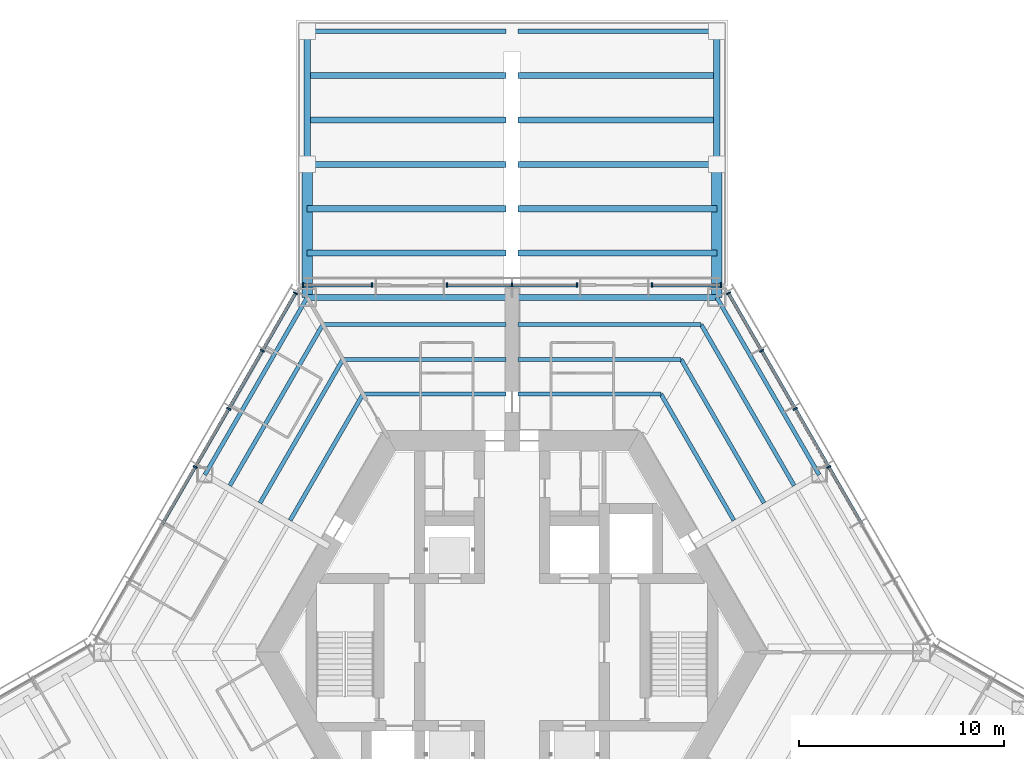
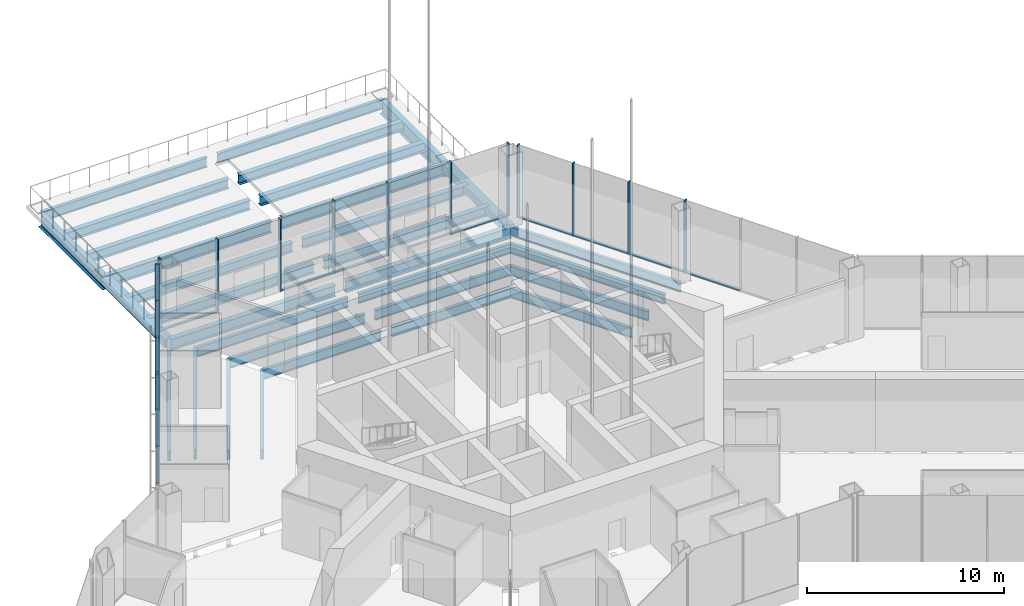
# One storey, part 6 of 18: 32 beams, 27 members, 5 elements without a shape of their own.
"""IFC4 building model written with IfcOpenShell, lengths in metres."""

from ifc_helpers import new_model, si_unit, direction, frame, origin, origin_2d, place, context, subcontext, project, spatial, rectangle, hollow_rectangle, i_section, extrude, material, material_profile, profile_set, type_object, element, aggregate, save


model = new_model("IFC4")

# Units and contexts
model_context = context("Model", 3, precision=1e-05, world=origin(), true_north=direction((0.0, 1.0)))
body_context = subcontext(model_context, "Body", "Model", "MODEL_VIEW")
ifc_project = project(units=[si_unit("LENGTHUNIT", "METRE"), si_unit("AREAUNIT", "SQUARE_METRE"), si_unit("VOLUMEUNIT", "CUBIC_METRE"), si_unit("PLANEANGLEUNIT", "RADIAN"), si_unit("MASSUNIT", "GRAM", prefix="KILO")], contexts=[model_context])

# Site, building, storey
site_placement = place(None, origin())
site = spatial("IfcSite", under=ifc_project, at=site_placement, CompositionType="ELEMENT")
building_placement = place(site_placement, origin())
building = spatial("IfcBuilding", under=site, at=building_placement, Name="Kasaneha Research Tower", CompositionType="ELEMENT")
storey_placement = place(building_placement, frame((0.0, 0.0, 128.60009765625)))
storey = spatial("IfcBuildingStorey", under=building, at=storey_placement, Name="L32", CompositionType="ELEMENT", Elevation=128.60009765625)

# Beams
ifc_material_1 = material(Name="Steel SN490B", Category="steel")
ifc_material_profile_1 = material_profile(ifc_material_1, i_section(OverallWidth=0.199951171875, OverallDepth=0.60009765625, WebThickness=0.010986328125, FlangeThickness=0.01708984375, FilletRadius=0.012939453125, at=origin_2d()), Name="H-600x200x11x17")
ifc_profile_set_1 = profile_set([ifc_material_profile_1], Name="Steel SN490B")
beam_type_1 = type_object("IfcBeamType", Name="B1-4 secondary beam H-600x200x11x17", PredefinedType="JOIST", material=ifc_profile_set_1)
beam_1_placement = place(storey_placement, frame((7.274658203125, 12.60009765625, -0.5), z_axis=(0.499990404686, -0.866030943571, 0.0), x_axis=(0.866030943571, 0.499990404686, 0.0)))
element("IfcBeam", 1, at=beam_1_placement, inside=storey, type_object=beam_type_1, Name="Secondary beam RS030R1 L32", PredefinedType="JOIST", context=body_context, shape_type="SweptSolid", body=[
    extrude(i_section(OverallWidth=0.199951171875, OverallDepth=0.60009765625, WebThickness=0.010986328125, FlangeThickness=0.01708984375, FilletRadius=0.012939453125, at=origin_2d()), origin(), (0.0, 0.0, 1.0), 7.124755859375),
])
beam_2_placement = place(storey_placement, frame((8.256103515625, 14.300048828125, -0.5), z_axis=(0.499984030215, -0.866034623748, 0.0), x_axis=(0.866034623748, 0.499984030215, 0.0)))
element("IfcBeam", 2, at=beam_2_placement, inside=storey, type_object=beam_type_1, Name="Secondary beam RS030R2 L32", PredefinedType="JOIST", context=body_context, shape_type="SweptSolid", body=[
    extrude(i_section(OverallWidth=0.199951171875, OverallDepth=0.60009765625, WebThickness=0.010986328125, FlangeThickness=0.01708984375, FilletRadius=0.012939453125, at=origin_2d()), origin(), (0.0, 0.0, 1.0), 8.106201171875),
])
beam_3_placement = place(storey_placement, frame((9.237548828125, 16.0, -0.5), z_axis=(0.500010814234, -0.866019160093, 0.0), x_axis=(0.866019160093, 0.500010814234, 0.0)))
element("IfcBeam", 3, at=beam_3_placement, inside=storey, type_object=beam_type_1, Name="Secondary beam RS030R3 L32", PredefinedType="JOIST", context=body_context, shape_type="SweptSolid", body=[
    extrude(i_section(OverallWidth=0.199951171875, OverallDepth=0.60009765625, WebThickness=0.010986328125, FlangeThickness=0.01708984375, FilletRadius=0.012939453125, at=origin_2d()), origin(), (0.0, 0.0, 1.0), 9.087646484375),
])
beam_4_placement = place(storey_placement, frame((7.274658203125, 12.60009765625, -0.5), z_axis=(-1.0, 0.0, 0.0), x_axis=(0.0, -1.0, 0.0)))
element("IfcBeam", 4, at=beam_4_placement, inside=storey, type_object=beam_type_1, Name="Secondary beam RS090L1 L32", PredefinedType="JOIST", context=body_context, shape_type="SweptSolid", body=[
    extrude(i_section(OverallWidth=0.199951171875, OverallDepth=0.60009765625, WebThickness=0.010986328125, FlangeThickness=0.01708984375, FilletRadius=0.012939453125, at=origin_2d()), origin(), (0.0, 0.0, 1.0), 6.974609375),
])
beam_5_placement = place(storey_placement, frame((8.256103515625, 14.300048828125, -0.5), z_axis=(-1.0, 0.0, 0.0), x_axis=(0.0, -1.0, 0.0)))
element("IfcBeam", 5, at=beam_5_placement, inside=storey, type_object=beam_type_1, Name="Secondary beam RS090L2 L32", PredefinedType="JOIST", context=body_context, shape_type="SweptSolid", body=[
    extrude(i_section(OverallWidth=0.199951171875, OverallDepth=0.60009765625, WebThickness=0.010986328125, FlangeThickness=0.01708984375, FilletRadius=0.012939453125, at=origin_2d()), origin(), (0.0, 0.0, 1.0), 7.9560546875),
])
beam_6_placement = place(storey_placement, frame((9.237548828125, 16.0, -0.5), z_axis=(-1.0, 0.0, 0.0), x_axis=(0.0, -1.0, 0.0)))
element("IfcBeam", 6, at=beam_6_placement, inside=storey, type_object=beam_type_1, Name="Secondary beam RS090L3 L32", PredefinedType="JOIST", context=body_context, shape_type="SweptSolid", body=[
    extrude(i_section(OverallWidth=0.199951171875, OverallDepth=0.60009765625, WebThickness=0.010986328125, FlangeThickness=0.01708984375, FilletRadius=0.012939453125, at=origin_2d()), origin(), (0.0, 0.0, 1.0), 8.9375),
])
beam_7_placement = place(storey_placement, frame((-7.274658203125, 12.60009765625, -0.5), z_axis=(1.0, 0.0, 0.0), x_axis=(0.0, 1.0, 0.0)))
element("IfcBeam", 7, at=beam_7_placement, inside=storey, type_object=beam_type_1, Name="Secondary beam RS090R1 L32", PredefinedType="JOIST", context=body_context, shape_type="SweptSolid", body=[
    extrude(i_section(OverallWidth=0.199951171875, OverallDepth=0.60009765625, WebThickness=0.010986328125, FlangeThickness=0.01708984375, FilletRadius=0.012939453125, at=origin_2d()), origin(), (0.0, 0.0, 1.0), 6.974609375),
])
beam_8_placement = place(storey_placement, frame((-8.256103515625, 14.300048828125, -0.5), z_axis=(1.0, 0.0, 0.0), x_axis=(0.0, 1.0, 0.0)))
element("IfcBeam", 8, at=beam_8_placement, inside=storey, type_object=beam_type_1, Name="Secondary beam RS090R2 L32", PredefinedType="JOIST", context=body_context, shape_type="SweptSolid", body=[
    extrude(i_section(OverallWidth=0.199951171875, OverallDepth=0.60009765625, WebThickness=0.010986328125, FlangeThickness=0.01708984375, FilletRadius=0.012939453125, at=origin_2d()), origin(), (0.0, 0.0, 1.0), 7.9560546875),
])
beam_9_placement = place(storey_placement, frame((-9.237548828125, 16.0, -0.5), z_axis=(1.0, 0.0, 0.0), x_axis=(0.0, 1.0, 0.0)))
element("IfcBeam", 9, at=beam_9_placement, inside=storey, type_object=beam_type_1, Name="Secondary beam RS090R3 L32", PredefinedType="JOIST", context=body_context, shape_type="SweptSolid", body=[
    extrude(i_section(OverallWidth=0.199951171875, OverallDepth=0.60009765625, WebThickness=0.010986328125, FlangeThickness=0.01708984375, FilletRadius=0.012939453125, at=origin_2d()), origin(), (0.0, 0.0, 1.0), 8.9375),
])
beam_10_placement = place(storey_placement, frame((-7.274658203125, 12.60009765625, -0.5), z_axis=(-0.499990404686, -0.866030943571, 0.0), x_axis=(0.866030943571, -0.499990404686, 0.0)))
element("IfcBeam", 10, at=beam_10_placement, inside=storey, type_object=beam_type_1, Name="Secondary beam RS150L1 L32", PredefinedType="JOIST", context=body_context, shape_type="SweptSolid", body=[
    extrude(i_section(OverallWidth=0.199951171875, OverallDepth=0.60009765625, WebThickness=0.010986328125, FlangeThickness=0.01708984375, FilletRadius=0.012939453125, at=origin_2d()), origin(), (0.0, 0.0, 1.0), 7.124755859375),
])
beam_11_placement = place(storey_placement, frame((-8.256103515625, 14.300048828125, -0.5), z_axis=(-0.499984030215, -0.866034623748, 0.0), x_axis=(0.866034623748, -0.499984030215, 0.0)))
element("IfcBeam", 11, at=beam_11_placement, inside=storey, type_object=beam_type_1, Name="Secondary beam RS150L2 L32", PredefinedType="JOIST", context=body_context, shape_type="SweptSolid", body=[
    extrude(i_section(OverallWidth=0.199951171875, OverallDepth=0.60009765625, WebThickness=0.010986328125, FlangeThickness=0.01708984375, FilletRadius=0.012939453125, at=origin_2d()), origin(), (0.0, 0.0, 1.0), 8.106201171875),
])
beam_12_placement = place(storey_placement, frame((-9.237548828125, 16.0, -0.5), z_axis=(-0.500010814234, -0.866019160093, 0.0), x_axis=(0.866019160093, -0.500010814234, 0.0)))
element("IfcBeam", 12, at=beam_12_placement, inside=storey, type_object=beam_type_1, Name="Secondary beam RS150L3 L32", PredefinedType="JOIST", context=body_context, shape_type="SweptSolid", body=[
    extrude(i_section(OverallWidth=0.199951171875, OverallDepth=0.60009765625, WebThickness=0.010986328125, FlangeThickness=0.01708984375, FilletRadius=0.012939453125, at=origin_2d()), origin(), (0.0, 0.0, 1.0), 9.087646484375),
])
ifc_material_2 = material(Name="Steel SN490B", Category="steel")
ifc_material_profile_2 = material_profile(ifc_material_2, i_section(OverallWidth=0.300048828125, OverallDepth=0.58203125, WebThickness=0.011962890625, FlangeThickness=0.01708984375, FilletRadius=0.012939453125, at=origin_2d()), Name="H-582x300x12x17")
ifc_profile_set_2 = profile_set([ifc_material_profile_2], Name="Steel SN490B")
beam_type_2 = type_object("IfcBeamType", Name="B2-4 secondary beam H-582x300x12x17", PredefinedType="JOIST", material=ifc_profile_set_2)
for number, where, z_axis, x_axis, name in (
    (13, (10.0, 19.487060546875, -0.4912109375), (-1.0, 0.0, 0.0), (0.0, -1.0, 0.0), "Secondary beam WBAP1 L32"),
    (14, (10.0, 21.65380859375, -0.4912109375), (-1.0, 0.0, 0.0), (0.0, -1.0, 0.0), "Secondary beam WBAP2 L32"),
    (15, (10.0, 25.987060546875, -0.4912109375), (-1.0, 0.0, 0.0), (0.0, -1.0, 0.0), "Secondary beam WBAP3 L32"),
    (16, (10.0, 28.15380859375, -0.4912109375), (-1.0, 0.0, 0.0), (0.0, -1.0, 0.0), "Secondary beam WBAP4 L32"),
    (17, (-10.0, 19.487060546875, -0.4912109375), (1.0, 0.0, 0.0), (0.0, 1.0, 0.0), "Secondary beam WBAN1 L32"),
    (18, (-10.0, 21.65380859375, -0.4912109375), (1.0, 0.0, 0.0), (0.0, 1.0, 0.0), "Secondary beam WBAN2 L32"),
    (19, (-10.0, 25.987060546875, -0.4912109375), (1.0, 0.0, 0.0), (0.0, 1.0, 0.0), "Secondary beam WBAN3 L32"),
    (20, (-10.0, 28.15380859375, -0.4912109375), (1.0, 0.0, 0.0), (0.0, 1.0, 0.0), "Secondary beam WBAN4 L32"),
):
    element("IfcBeam", number, at=place(storey_placement, frame(where, z_axis=z_axis, x_axis=x_axis)), inside=storey, type_object=beam_type_2, Name=name, PredefinedType="JOIST", context=body_context, shape_type="SweptSolid", body=[
        extrude(i_section(OverallWidth=0.300048828125, OverallDepth=0.58203125, WebThickness=0.011962890625, FlangeThickness=0.01708984375, FilletRadius=0.012939453125, at=origin_2d()), origin(), (0.0, 0.0, 1.0), 9.699951171875),
    ])
ifc_material_3 = material(Name="Steel SN490B", Category="steel")
ifc_material_profile_3 = material_profile(ifc_material_3, hollow_rectangle(XDim=0.5, YDim=0.5, WallThickness=0.02197265625, at=origin_2d()), Name="BOX-500x500x22")
ifc_profile_set_3 = profile_set([ifc_material_profile_3], Name="Steel SN490B")
beam_type_3 = type_object("IfcBeamType", Name="BC1-4 belt chord BOX-500x500x22", PredefinedType="BEAM", material=ifc_profile_set_3)
for number, where, z_axis, x_axis, name in (
    (21, (10.0, 17.320556640625, -0.4501953125), (0.0, 1.0, 0.0), (-1.0, 0.0, 0.0), "Belt chord WSAP1 L32"),
    (22, (-10.0, 17.320556640625, -0.4501953125), (0.0, 1.0, 0.0), (-1.0, 0.0, 0.0), "Belt chord WSAN1 L32"),
):
    element("IfcBeam", number, at=place(storey_placement, frame(where, z_axis=z_axis, x_axis=x_axis)), inside=storey, type_object=beam_type_3, Name=name, PredefinedType="BEAM", context=body_context, shape_type="SweptSolid", body=[
        extrude(hollow_rectangle(XDim=0.5, YDim=0.5, WallThickness=0.02197265625, at=origin_2d()), origin(), (0.0, 0.0, 1.0), 6.5),
    ])

# Curtain wall, members
ifc_material_4 = material(Name="Glass and aluminium", Category="aluminium")
curtain_wall_type = type_object("IfcCurtainWallType", Name="Sky lobby curtain wall", PredefinedType="USERDEFINED", material=ifc_material_4)
curtain_wall_1_placement = place(storey_placement, origin())
curtain_wall_1 = element("IfcCurtainWall", 23, at=curtain_wall_1_placement, inside=storey, type_object=curtain_wall_type, Name="CW-S L32 run 06a", ObjectType="UNITISED CURTAIN WALL", PredefinedType="USERDEFINED")
ifc_material_5 = material(Name="Aluminium 6063-T6", Category="aluminium")
ifc_material_profile_4 = material_profile(ifc_material_5, rectangle(XDim=0.070068359375, YDim=0.219970703125, at=origin_2d()), Name="CW-S mullion 70x220")
ifc_profile_set_4 = profile_set([ifc_material_profile_4], Name="Aluminium 6063-T6")
member_type_1 = type_object("IfcMemberType", Name="CW-S mullion", PredefinedType="MULLION", material=ifc_profile_set_4)
member_1_placement = place(storey_placement, frame((15.47216796875, 9.042236328125, 0.0), z_axis=(0.0, 0.0, 1.0), x_axis=(-0.499999979232, 0.866025415775, 0.0)))
member_1 = element("IfcMember", 24, at=member_1_placement, type_object=member_type_1, Name="CW-S mullion 4", PredefinedType="MULLION", context=body_context, shape_type="SweptSolid", body=[
    extrude(rectangle(XDim=0.070068359375, YDim=0.219970703125, at=origin_2d()), origin(), (0.0, 0.0, 1.0), 4.5),
])
member_2_placement = place(storey_placement, frame((13.833251953125, 11.881103515625, 0.0), z_axis=(0.0, 0.0, 1.0), x_axis=(-0.499999979232, 0.866025415775, 0.0)))
member_2 = element("IfcMember", 25, at=member_2_placement, type_object=member_type_1, Name="CW-S mullion 5", PredefinedType="MULLION", context=body_context, shape_type="SweptSolid", body=[
    extrude(rectangle(XDim=0.070068359375, YDim=0.219970703125, at=origin_2d()), origin(), (0.0, 0.0, 1.0), 4.5),
])
member_3_placement = place(storey_placement, frame((12.1943359375, 14.719970703125, 0.0), z_axis=(0.0, 0.0, 1.0), x_axis=(-0.499999979232, 0.866025415775, 0.0)))
member_3 = element("IfcMember", 26, at=member_3_placement, type_object=member_type_1, Name="CW-S mullion 6", PredefinedType="MULLION", context=body_context, shape_type="SweptSolid", body=[
    extrude(rectangle(XDim=0.070068359375, YDim=0.219970703125, at=origin_2d()), origin(), (0.0, 0.0, 1.0), 4.5),
])
member_4_placement = place(storey_placement, frame((10.57275390625, 17.528564453125, 0.0), z_axis=(0.0, 0.0, 1.0), x_axis=(-0.499999979232, 0.866025415775, 0.0)))
member_4 = element("IfcMember", 27, at=member_4_placement, type_object=member_type_1, Name="CW-S mullion 7", PredefinedType="MULLION", context=body_context, shape_type="SweptSolid", body=[
    extrude(rectangle(XDim=0.070068359375, YDim=0.219970703125, at=origin_2d()), origin(), (0.0, 0.0, 1.0), 4.5),
])

curtain_wall_2_placement = place(storey_placement, origin())
curtain_wall_2 = element("IfcCurtainWall", 28, at=curtain_wall_2_placement, inside=storey, type_object=curtain_wall_type, Name="CW-S L32 run 07a", ObjectType="UNITISED CURTAIN WALL", PredefinedType="USERDEFINED")
member_5_placement = place(storey_placement, frame((10.21142578125, 17.92041015625, 0.0), z_axis=(0.0, 0.0, 1.0), x_axis=(-1.0, 0.0, 0.0)))
member_5 = element("IfcMember", 29, at=member_5_placement, type_object=member_type_1, Name="CW-S mullion 1", PredefinedType="MULLION", context=body_context, shape_type="SweptSolid", body=[
    extrude(rectangle(XDim=0.070068359375, YDim=0.219970703125, at=origin_2d()), origin(), (0.0, 0.0, 1.0), 4.5),
])
member_6_placement = place(storey_placement, frame((6.8349609375, 17.92041015625, 0.0), z_axis=(0.0, 0.0, 1.0), x_axis=(-1.0, 0.0, 0.0)))
member_6 = element("IfcMember", 30, at=member_6_placement, type_object=member_type_1, Name="CW-S mullion 2", PredefinedType="MULLION", context=body_context, shape_type="SweptSolid", body=[
    extrude(rectangle(XDim=0.070068359375, YDim=0.219970703125, at=origin_2d()), origin(), (0.0, 0.0, 1.0), 4.5),
])

curtain_wall_3_placement = place(storey_placement, origin())
curtain_wall_3 = element("IfcCurtainWall", 31, at=curtain_wall_3_placement, inside=storey, type_object=curtain_wall_type, Name="CW-S L32 run 07c", ObjectType="UNITISED CURTAIN WALL", PredefinedType="USERDEFINED")
member_7_placement = place(storey_placement, frame((3.1650390625, 17.92041015625, 0.0), z_axis=(0.0, 0.0, 1.0), x_axis=(-1.0, 0.0, 0.0)))
member_7 = element("IfcMember", 32, at=member_7_placement, type_object=member_type_1, Name="CW-S mullion 1", PredefinedType="MULLION", context=body_context, shape_type="SweptSolid", body=[
    extrude(rectangle(XDim=0.070068359375, YDim=0.219970703125, at=origin_2d()), origin(), (0.0, 0.0, 1.0), 4.5),
])
member_8_placement = place(storey_placement, frame((0.0, 17.92041015625, 0.0), z_axis=(0.0, 0.0, 1.0), x_axis=(-1.0, 0.0, 0.0)))
member_8 = element("IfcMember", 33, at=member_8_placement, type_object=member_type_1, Name="CW-S mullion 2", PredefinedType="MULLION", context=body_context, shape_type="SweptSolid", body=[
    extrude(rectangle(XDim=0.070068359375, YDim=0.219970703125, at=origin_2d()), origin(), (0.0, 0.0, 1.0), 4.5),
])
member_9_placement = place(storey_placement, frame((-3.1650390625, 17.92041015625, 0.0), z_axis=(0.0, 0.0, 1.0), x_axis=(-1.0, 0.0, 0.0)))
member_9 = element("IfcMember", 34, at=member_9_placement, type_object=member_type_1, Name="CW-S mullion 3", PredefinedType="MULLION", context=body_context, shape_type="SweptSolid", body=[
    extrude(rectangle(XDim=0.070068359375, YDim=0.219970703125, at=origin_2d()), origin(), (0.0, 0.0, 1.0), 4.5),
])

curtain_wall_4_placement = place(storey_placement, origin())
curtain_wall_4 = element("IfcCurtainWall", 35, at=curtain_wall_4_placement, inside=storey, type_object=curtain_wall_type, Name="CW-S L32 run 07e", ObjectType="UNITISED CURTAIN WALL", PredefinedType="USERDEFINED")
member_10_placement = place(storey_placement, frame((-6.8349609375, 17.92041015625, 0.0), z_axis=(0.0, 0.0, 1.0), x_axis=(-1.0, 0.0, 0.0)))
member_10 = element("IfcMember", 36, at=member_10_placement, type_object=member_type_1, Name="CW-S mullion 1", PredefinedType="MULLION", context=body_context, shape_type="SweptSolid", body=[
    extrude(rectangle(XDim=0.070068359375, YDim=0.219970703125, at=origin_2d()), origin(), (0.0, 0.0, 1.0), 4.5),
])
member_11_placement = place(storey_placement, frame((-10.21142578125, 17.92041015625, 0.0), z_axis=(0.0, 0.0, 1.0), x_axis=(-1.0, 0.0, 0.0)))
member_11 = element("IfcMember", 37, at=member_11_placement, type_object=member_type_1, Name="CW-S mullion 2", PredefinedType="MULLION", context=body_context, shape_type="SweptSolid", body=[
    extrude(rectangle(XDim=0.070068359375, YDim=0.219970703125, at=origin_2d()), origin(), (0.0, 0.0, 1.0), 4.5),
])

curtain_wall_5_placement = place(storey_placement, origin())
curtain_wall_5 = element("IfcCurtainWall", 38, at=curtain_wall_5_placement, inside=storey, type_object=curtain_wall_type, Name="CW-S L32 run 08a", ObjectType="UNITISED CURTAIN WALL", PredefinedType="USERDEFINED")
member_12_placement = place(storey_placement, frame((-10.57275390625, 17.528564453125, 0.0), z_axis=(0.0, 0.0, 1.0), x_axis=(-0.499999979232, -0.866025415775, 0.0)))
member_12 = element("IfcMember", 39, at=member_12_placement, type_object=member_type_1, Name="CW-S mullion 1", PredefinedType="MULLION", context=body_context, shape_type="SweptSolid", body=[
    extrude(rectangle(XDim=0.070068359375, YDim=0.219970703125, at=origin_2d()), origin(), (0.0, 0.0, 1.0), 4.5),
])
member_13_placement = place(storey_placement, frame((-12.1943359375, 14.719970703125, 0.0), z_axis=(0.0, 0.0, 1.0), x_axis=(-0.499999979232, -0.866025415775, 0.0)))
member_13 = element("IfcMember", 40, at=member_13_placement, type_object=member_type_1, Name="CW-S mullion 2", PredefinedType="MULLION", context=body_context, shape_type="SweptSolid", body=[
    extrude(rectangle(XDim=0.070068359375, YDim=0.219970703125, at=origin_2d()), origin(), (0.0, 0.0, 1.0), 4.5),
])
member_14_placement = place(storey_placement, frame((-13.833251953125, 11.881103515625, 0.0), z_axis=(0.0, 0.0, 1.0), x_axis=(-0.499999979232, -0.866025415775, 0.0)))
member_14 = element("IfcMember", 41, at=member_14_placement, type_object=member_type_1, Name="CW-S mullion 3", PredefinedType="MULLION", context=body_context, shape_type="SweptSolid", body=[
    extrude(rectangle(XDim=0.070068359375, YDim=0.219970703125, at=origin_2d()), origin(), (0.0, 0.0, 1.0), 4.5),
])
member_15_placement = place(storey_placement, frame((-15.47216796875, 9.042236328125, 0.0), z_axis=(0.0, 0.0, 1.0), x_axis=(-0.499999979232, -0.866025415775, 0.0)))
member_15 = element("IfcMember", 42, at=member_15_placement, type_object=member_type_1, Name="CW-S mullion 4", PredefinedType="MULLION", context=body_context, shape_type="SweptSolid", body=[
    extrude(rectangle(XDim=0.070068359375, YDim=0.219970703125, at=origin_2d()), origin(), (0.0, 0.0, 1.0), 4.5),
])

# Member
ifc_material_6 = material(Name="Aluminium 6063-T6", Category="aluminium")
ifc_material_profile_5 = material_profile(ifc_material_6, rectangle(XDim=0.159912109375, YDim=0.070068359375, at=origin_2d()), Name="CW-S transom 160x70")
ifc_profile_set_5 = profile_set([ifc_material_profile_5], Name="Aluminium 6063-T6")
member_type_2 = type_object("IfcMemberType", Name="CW-S transom", PredefinedType="USERDEFINED", material=ifc_profile_set_5)
member_16_placement = place(storey_placement, frame((17.09375, 6.23388671875, 0.034912109375), z_axis=(-0.500018909665, 0.866014486009, 0.0), x_axis=(-0.866014486009, -0.500018909665, 0.0)))
member_16 = element("IfcMember", 43, at=member_16_placement, type_object=member_type_2, Name="CW-S transom 3", ObjectType="TRANSOM", PredefinedType="USERDEFINED", context=body_context, shape_type="SweptSolid", body=[
    extrude(rectangle(XDim=0.159912109375, YDim=0.070068359375, at=origin_2d()), origin(), (0.0, 0.0, 1.0), 3.2080078125),
])

member_17_placement = place(storey_placement, frame((15.454833984375, 9.072509765625, 0.034912109375), z_axis=(-0.499985955615, 0.866033512162, 0.0), x_axis=(-0.866033512162, -0.499985955615, 0.0)))
member_17 = element("IfcMember", 44, at=member_17_placement, type_object=member_type_2, Name="CW-S transom 4", ObjectType="TRANSOM", PredefinedType="USERDEFINED", context=body_context, shape_type="SweptSolid", body=[
    extrude(rectangle(XDim=0.159912109375, YDim=0.070068359375, at=origin_2d()), origin(), (0.0, 0.0, 1.0), 3.2080078125),
])

member_18_placement = place(storey_placement, frame((13.815673828125, 11.911376953125, 0.034912109375), z_axis=(-0.499985955615, 0.866033512162, 0.0), x_axis=(-0.866033512162, -0.499985955615, 0.0)))
member_18 = element("IfcMember", 45, at=member_18_placement, type_object=member_type_2, Name="CW-S transom 5", ObjectType="TRANSOM", PredefinedType="USERDEFINED", context=body_context, shape_type="SweptSolid", body=[
    extrude(rectangle(XDim=0.159912109375, YDim=0.070068359375, at=origin_2d()), origin(), (0.0, 0.0, 1.0), 3.2080078125),
])

member_19_placement = place(storey_placement, frame((12.1767578125, 14.750244140625, 0.034912109375), z_axis=(-0.499995540215, 0.866027978627, 0.0), x_axis=(-0.866027978627, -0.499995540215, 0.0)))
member_19 = element("IfcMember", 46, at=member_19_placement, type_object=member_type_2, Name="CW-S transom 6", ObjectType="TRANSOM", PredefinedType="USERDEFINED", context=body_context, shape_type="SweptSolid", body=[
    extrude(rectangle(XDim=0.159912109375, YDim=0.070068359375, at=origin_2d()), origin(), (0.0, 0.0, 1.0), 3.1728515625),
])

aggregate(curtain_wall_1, [member_1, member_2, member_3, member_4, member_16, member_17, member_18, member_19])

member_20_placement = place(storey_placement, frame((10.176513671875, 17.92041015625, 0.034912109375), z_axis=(-1.0, 0.0, 0.0), x_axis=(0.0, -1.0, 0.0)))
member_20 = element("IfcMember", 47, at=member_20_placement, type_object=member_type_2, Name="CW-S transom 1", ObjectType="TRANSOM", PredefinedType="USERDEFINED", context=body_context, shape_type="SweptSolid", body=[
    extrude(rectangle(XDim=0.159912109375, YDim=0.070068359375, at=origin_2d()), origin(), (0.0, 0.0, 1.0), 3.306396484375),
])

aggregate(curtain_wall_2, [member_5, member_6, member_20])

member_21_placement = place(storey_placement, frame((3.1298828125, 17.92041015625, 0.034912109375), z_axis=(-1.0, 0.0, 0.0), x_axis=(0.0, -1.0, 0.0)))
member_21 = element("IfcMember", 48, at=member_21_placement, type_object=member_type_2, Name="CW-S transom 1", ObjectType="TRANSOM", PredefinedType="USERDEFINED", context=body_context, shape_type="SweptSolid", body=[
    extrude(rectangle(XDim=0.159912109375, YDim=0.070068359375, at=origin_2d()), origin(), (0.0, 0.0, 1.0), 3.094970703125),
])

member_22_placement = place(storey_placement, frame((-0.034912109375, 17.92041015625, 0.034912109375), z_axis=(-1.0, 0.0, 0.0), x_axis=(0.0, -1.0, 0.0)))
member_22 = element("IfcMember", 49, at=member_22_placement, type_object=member_type_2, Name="CW-S transom 2", ObjectType="TRANSOM", PredefinedType="USERDEFINED", context=body_context, shape_type="SweptSolid", body=[
    extrude(rectangle(XDim=0.159912109375, YDim=0.070068359375, at=origin_2d()), origin(), (0.0, 0.0, 1.0), 3.094970703125),
])

aggregate(curtain_wall_3, [member_7, member_8, member_9, member_21, member_22])

member_23_placement = place(storey_placement, frame((-6.8701171875, 17.92041015625, 0.034912109375), z_axis=(-1.0, 0.0, 0.0), x_axis=(0.0, -1.0, 0.0)))
member_23 = element("IfcMember", 50, at=member_23_placement, type_object=member_type_2, Name="CW-S transom 1", ObjectType="TRANSOM", PredefinedType="USERDEFINED", context=body_context, shape_type="SweptSolid", body=[
    extrude(rectangle(XDim=0.159912109375, YDim=0.070068359375, at=origin_2d()), origin(), (0.0, 0.0, 1.0), 3.306396484375),
])

aggregate(curtain_wall_4, [member_10, member_11, member_23])

member_24_placement = place(storey_placement, frame((-10.59033203125, 17.498046875, 0.034912109375), z_axis=(-0.499995540215, -0.866027978627, 0.0), x_axis=(0.866027978627, -0.499995540215, 0.0)))
member_24 = element("IfcMember", 51, at=member_24_placement, type_object=member_type_2, Name="CW-S transom 1", ObjectType="TRANSOM", PredefinedType="USERDEFINED", context=body_context, shape_type="SweptSolid", body=[
    extrude(rectangle(XDim=0.159912109375, YDim=0.070068359375, at=origin_2d()), origin(), (0.0, 0.0, 1.0), 3.1728515625),
])

member_25_placement = place(storey_placement, frame((-12.211669921875, 14.689697265625, 0.034912109375), z_axis=(-0.499985955615, -0.866033512162, 0.0), x_axis=(0.866033512162, -0.499985955615, 0.0)))
member_25 = element("IfcMember", 52, at=member_25_placement, type_object=member_type_2, Name="CW-S transom 2", ObjectType="TRANSOM", PredefinedType="USERDEFINED", context=body_context, shape_type="SweptSolid", body=[
    extrude(rectangle(XDim=0.159912109375, YDim=0.070068359375, at=origin_2d()), origin(), (0.0, 0.0, 1.0), 3.2080078125),
])

member_26_placement = place(storey_placement, frame((-13.850830078125, 11.850830078125, 0.034912109375), z_axis=(-0.499985955615, -0.866033512162, 0.0), x_axis=(0.866033512162, -0.499985955615, 0.0)))
member_26 = element("IfcMember", 53, at=member_26_placement, type_object=member_type_2, Name="CW-S transom 3", ObjectType="TRANSOM", PredefinedType="USERDEFINED", context=body_context, shape_type="SweptSolid", body=[
    extrude(rectangle(XDim=0.159912109375, YDim=0.070068359375, at=origin_2d()), origin(), (0.0, 0.0, 1.0), 3.2080078125),
])

member_27_placement = place(storey_placement, frame((-15.48974609375, 9.011962890625, 0.034912109375), z_axis=(-0.500018909665, -0.866014486009, 0.0), x_axis=(0.866014486009, -0.500018909665, 0.0)))
member_27 = element("IfcMember", 54, at=member_27_placement, type_object=member_type_2, Name="CW-S transom 4", ObjectType="TRANSOM", PredefinedType="USERDEFINED", context=body_context, shape_type="SweptSolid", body=[
    extrude(rectangle(XDim=0.159912109375, YDim=0.070068359375, at=origin_2d()), origin(), (0.0, 0.0, 1.0), 3.2080078125),
])

aggregate(curtain_wall_5, [member_12, member_13, member_14, member_15, member_24, member_25, member_26, member_27])

# Beams
ifc_material_7 = material(Name="Steel SN490B", Category="steel")
ifc_material_profile_6 = material_profile(ifc_material_7, i_section(OverallWidth=0.300048828125, OverallDepth=0.69189453125, WebThickness=0.012939453125, FlangeThickness=0.02001953125, FilletRadius=0.01806640625, at=origin_2d()), Name="H-692x300x13x20")
ifc_profile_set_6 = profile_set([ifc_material_profile_6], Name="Steel SN490B")
beam_type_4 = type_object("IfcBeamType", Name="G3-4 plate edge girder H-692x300x13x20", PredefinedType="BEAM", material=ifc_profile_set_6)
for number, where, z_axis, x_axis, name in (
    (55, (10.0, 17.320556640625, -0.546142578125), (-1.0, 0.0, 0.0), (0.0, -1.0, 0.0), "Plate edge girder PEAP L32"),
    (56, (-10.0, 17.320556640625, -0.546142578125), (1.0, 0.0, 0.0), (0.0, 1.0, 0.0), "Plate edge girder PEAN L32"),
):
    element("IfcBeam", number, at=place(storey_placement, frame(where, z_axis=z_axis, x_axis=x_axis)), inside=storey, type_object=beam_type_4, Name=name, PredefinedType="BEAM", context=body_context, shape_type="SweptSolid", body=[
        extrude(i_section(OverallWidth=0.300048828125, OverallDepth=0.69189453125, WebThickness=0.012939453125, FlangeThickness=0.02001953125, FilletRadius=0.01806640625, at=origin_2d()), origin(), (0.0, 0.0, 1.0), 9.699951171875),
    ])
ifc_material_8 = material(Name="Steel SN490B", Category="steel")
ifc_material_profile_7 = material_profile(ifc_material_8, i_section(OverallWidth=0.300048828125, OverallDepth=0.699951171875, WebThickness=0.012939453125, FlangeThickness=0.02392578125, FilletRadius=0.01806640625, at=origin_2d()), Name="H-700x300x13x24")
ifc_profile_set_7 = profile_set([ifc_material_profile_7], Name="Steel SN490B")
beam_type_5 = type_object("IfcBeamType", Name="G4-4 wing girder H-700x300x13x24", PredefinedType="BEAM", material=ifc_profile_set_7)
for number, where, z_axis, x_axis, name in (
    (57, (10.0, 23.820556640625, -0.550048828125), (-1.0, 0.0, 0.0), (0.0, -1.0, 0.0), "Wing girder WGAP L32"),
    (58, (-10.0, 23.820556640625, -0.550048828125), (1.0, 0.0, 0.0), (0.0, 1.0, 0.0), "Wing girder WGAN L32"),
):
    element("IfcBeam", number, at=place(storey_placement, frame(where, z_axis=z_axis, x_axis=x_axis)), inside=storey, type_object=beam_type_5, Name=name, PredefinedType="BEAM", context=body_context, shape_type="SweptSolid", body=[
        extrude(i_section(OverallWidth=0.300048828125, OverallDepth=0.699951171875, WebThickness=0.012939453125, FlangeThickness=0.02392578125, FilletRadius=0.01806640625, at=origin_2d()), origin(), (0.0, 0.0, 1.0), 9.699951171875),
    ])
ifc_material_9 = material(Name="Steel SN490B", Category="steel")
ifc_material_profile_8 = material_profile(ifc_material_9, i_section(OverallWidth=0.198974609375, OverallDepth=0.595947265625, WebThickness=0.010009765625, FlangeThickness=0.014892578125, FilletRadius=0.012939453125, at=origin_2d()), Name="H-596x199x10x15")
ifc_profile_set_8 = profile_set([ifc_material_profile_8], Name="Steel SN490B")
beam_type_6 = type_object("IfcBeamType", Name="SB1-4 spandrel beam H-596x199x10x15", PredefinedType="SPANDREL", material=ifc_profile_set_8)
for number, where, z_axis, x_axis, name in (
    (59, (10.0, 17.320556640625, -0.498046875), (0.499993662806, -0.866029062534, 0.0), (0.866029062534, 0.499993662806, 0.0), "Spandrel beam SR030R L32"),
    (60, (-10.0, 17.320556640625, -0.498046875), (-0.499993662806, -0.866029062534, 0.0), (0.866029062534, -0.499993662806, 0.0), "Spandrel beam SR150L L32"),
):
    element("IfcBeam", number, at=place(storey_placement, frame(where, z_axis=z_axis, x_axis=x_axis)), inside=storey, type_object=beam_type_6, Name=name, PredefinedType="SPANDREL", context=body_context, shape_type="SweptSolid", body=[
        extrude(i_section(OverallWidth=0.198974609375, OverallDepth=0.595947265625, WebThickness=0.010009765625, FlangeThickness=0.014892578125, FilletRadius=0.012939453125, at=origin_2d()), origin(), (0.0, 0.0, 1.0), 10.000244140625),
    ])
ifc_material_10 = material(Name="Steel SN490B", Category="steel")
ifc_material_profile_9 = material_profile(ifc_material_10, i_section(OverallWidth=0.300048828125, OverallDepth=0.89990234375, WebThickness=0.01611328125, FlangeThickness=0.028076171875, FilletRadius=0.01806640625, at=origin_2d()), Name="H-900x300x16x28")
ifc_profile_set_9 = profile_set([ifc_material_profile_9], Name="Steel SN490B")
beam_type_7 = type_object("IfcBeamType", Name="SB2-4 spandrel beam H-900x300x16x28", PredefinedType="SPANDREL", material=ifc_profile_set_9)
for number, where, z_axis, x_axis, name in (
    (61, (10.0, 23.820556640625, -0.650146484375), (0.0, 1.0, 0.0), (-1.0, 0.0, 0.0), "Spandrel beam WSAP2 L32"),
    (62, (-10.0, 23.820556640625, -0.650146484375), (0.0, 1.0, 0.0), (-1.0, 0.0, 0.0), "Spandrel beam WSAN2 L32"),
):
    element("IfcBeam", number, at=place(storey_placement, frame(where, z_axis=z_axis, x_axis=x_axis)), inside=storey, type_object=beam_type_7, Name=name, PredefinedType="SPANDREL", context=body_context, shape_type="SweptSolid", body=[
        extrude(i_section(OverallWidth=0.300048828125, OverallDepth=0.89990234375, WebThickness=0.01611328125, FlangeThickness=0.028076171875, FilletRadius=0.01806640625, at=origin_2d()), origin(), (0.0, 0.0, 1.0), 6.5),
    ])
ifc_material_11 = material(Name="Steel SN490B", Category="steel")
ifc_material_profile_10 = material_profile(ifc_material_11, i_section(OverallWidth=0.199951171875, OverallDepth=0.60009765625, WebThickness=0.010986328125, FlangeThickness=0.01708984375, FilletRadius=0.012939453125, at=origin_2d()), Name="H-600x200x11x17")
ifc_profile_set_10 = profile_set([ifc_material_profile_10], Name="Steel SN490B")
beam_type_8 = type_object("IfcBeamType", Name="SB3-4 spandrel beam H-600x200x11x17", PredefinedType="SPANDREL", material=ifc_profile_set_10)
for number, where, z_axis, x_axis, name in (
    (63, (10.0, 30.320556640625, -0.5), (-1.0, 0.0, 0.0), (0.0, -1.0, 0.0), "Spandrel beam WTAP L32"),
    (64, (-10.0, 30.320556640625, -0.5), (1.0, 0.0, 0.0), (0.0, 1.0, 0.0), "Spandrel beam WTAN L32"),
):
    element("IfcBeam", number, at=place(storey_placement, frame(where, z_axis=z_axis, x_axis=x_axis)), inside=storey, type_object=beam_type_8, Name=name, PredefinedType="SPANDREL", context=body_context, shape_type="SweptSolid", body=[
        extrude(i_section(OverallWidth=0.199951171875, OverallDepth=0.60009765625, WebThickness=0.010986328125, FlangeThickness=0.01708984375, FilletRadius=0.012939453125, at=origin_2d()), origin(), (0.0, 0.0, 1.0), 9.699951171875),
    ])

save(model, "model.ifc")
